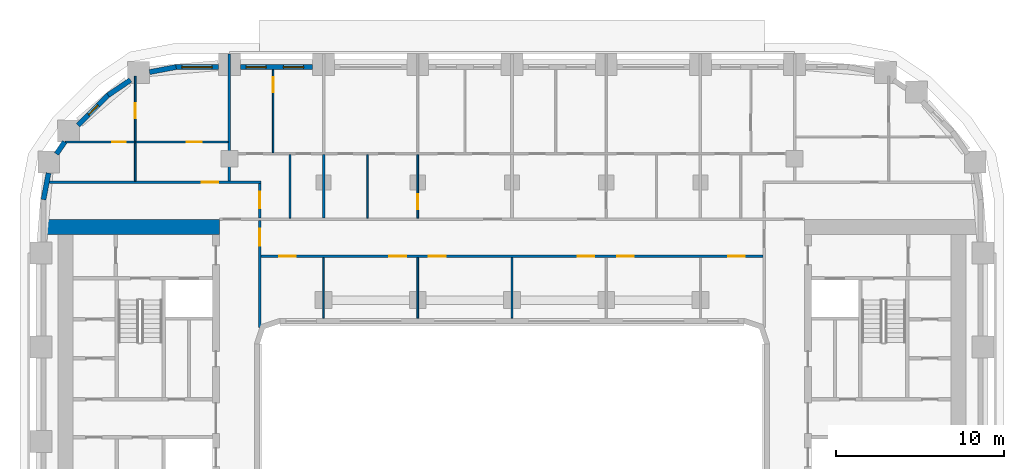
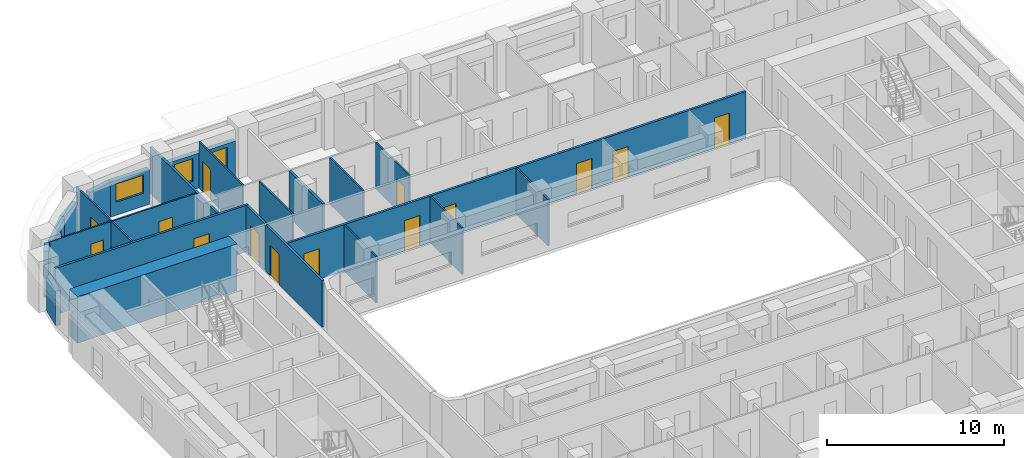
# One storey, part 8 of 23: 24 walls, 14 doors, 4 windows, 18 openings.
"""IFC4 building model written with IfcOpenShell, lengths in metres."""

from ifc_helpers import new_model, si_unit, direction, frame, frame_2d, origin, place, context, subcontext, project, spatial, rectangle, extrude, material, layer, layer_set, type_object, element, fill, save


model = new_model("IFC4")

# Units and contexts
model_context = context("Model", 3, precision=1e-05, world=origin(), true_north=direction((0.0, 1.0)))
body_context = subcontext(model_context, "Body", "Model", "MODEL_VIEW")
ifc_project = project(units=[si_unit("LENGTHUNIT", "METRE"), si_unit("AREAUNIT", "SQUARE_METRE"), si_unit("VOLUMEUNIT", "CUBIC_METRE"), si_unit("PLANEANGLEUNIT", "RADIAN"), si_unit("MASSUNIT", "GRAM", prefix="KILO")], contexts=[model_context])

# Site, building, storey
site_placement = place(None, origin())
site = spatial("IfcSite", under=ifc_project, at=site_placement, CompositionType="ELEMENT")
building_placement = place(site_placement, origin())
building = spatial("IfcBuilding", under=site, at=building_placement, Name="Kiln Ring Residences", CompositionType="ELEMENT")
storey_placement = place(building_placement, frame((0.0, 0.0, 86.800048828125)))
storey = spatial("IfcBuildingStorey", under=building, at=storey_placement, Name="L21", CompositionType="ELEMENT", Elevation=86.800048828125)

# Wall
ifc_material_1 = material(Name="Concrete C60/75", Category="concrete")
ifc_layer_1 = layer(ifc_material_1, 0.89990234375)
ifc_layer_set_1 = layer_set([ifc_layer_1], Name="CORE-WALL-RC900")
wall_type_1 = type_object("IfcWallType", Name="CORE-WALL-RC900", PredefinedType="SHEAR", material=ifc_layer_set_1)
wall_1_placement = place(storey_placement, frame((-17.39990234375, 12.75, 0.0), z_axis=(0.0, 0.0, 1.0), x_axis=(-1.0, 0.0, 0.0)))
element("IfcWall", 1, at=wall_1_placement, inside=storey, type_object=wall_type_1, Name="Core wall west L21 4", PredefinedType="SHEAR", context=body_context, shape_type="SweptSolid", body=[
    extrude(rectangle(XDim=10.400146484375, YDim=0.89990234375, at=frame_2d((5.2001953125, 0.0))), origin(), (0.0, 0.0, 1.0), 3.199951171875),
])

# Wall, openings, windows
ifc_material_2 = material(Name="Brick masonry, dark clay brick", Category="masonry")
ifc_layer_2 = layer(ifc_material_2, 0.300048828125)
ifc_layer_set_2 = layer_set([ifc_layer_2], Name="EW-300 BRICK WALL")
wall_type_2 = type_object("IfcWallType", Name="EW-300 BRICK WALL", PredefinedType="SOLIDWALL", material=ifc_layer_set_2)
wall_2_placement = place(storey_placement, frame((-11.85009765625, 22.25, 0.0), z_axis=(0.0, 0.0, 1.0), x_axis=(-1.0, 0.0, 0.0)))
wall_2 = element("IfcWall", 2, at=wall_2_placement, inside=storey, type_object=wall_type_2, Name="Facade wall L21 34", PredefinedType="SOLIDWALL", context=body_context, shape_type="SweptSolid", body=[
    extrude(rectangle(XDim=4.2998046875, YDim=0.300048828125, at=frame_2d((2.14990234375, 0.0))), origin(), (0.0, 0.0, 1.0), 2.39990234375),
])
opening_1_placement = place(wall_2_placement, frame((0.53759765625, 0.0, 0.60009765625)))
opening_1 = element("IfcOpeningElement", 3, at=opening_1_placement, cuts=wall_2, Name="Opening W1", PredefinedType="OPENING", context=body_context, shape_type="SweptSolid", body=[
    extrude(rectangle(XDim=1.199951171875, YDim=1.550048828125, at=frame_2d((0.60009765625, 0.77490234375))), frame((0.0, 0.159912109375, 0.0), z_axis=(0.0, -1.0, 0.0), x_axis=(1.0, 0.0, 0.0)), (0.0, 0.0, 1.0), 0.320068359375),
])
opening_2_placement = place(wall_2_placement, frame((2.762451171875, 0.0, 0.60009765625)))
opening_2 = element("IfcOpeningElement", 4, at=opening_2_placement, cuts=wall_2, Name="Opening W1", PredefinedType="OPENING", context=body_context, shape_type="SweptSolid", body=[
    extrude(rectangle(XDim=1.199951171875, YDim=1.550048828125, at=frame_2d((0.60009765625, 0.77490234375))), frame((0.0, 0.159912109375, 0.0), z_axis=(0.0, -1.0, 0.0), x_axis=(1.0, 0.0, 0.0)), (0.0, 0.0, 1.0), 0.320068359375),
])
ifc_material_3 = material(Name="Aluminium frame with double glazing", Category="aluminium")
window_type_1 = type_object("IfcWindowType", Name="WINDOW 1200 x 1550", PartitioningType="SINGLE_PANEL", PredefinedType="WINDOW", material=ifc_material_3)
window_1_placement = place(opening_1_placement, origin())
window_1 = element("IfcWindow", 5, at=window_1_placement, inside=storey, type_object=window_type_1, Name="Window L21 25", OverallHeight=1.550048828125, OverallWidth=1.199951171875, PartitioningType="SINGLE_PANEL", PredefinedType="WINDOW", context=body_context, shape_type="SweptSolid", body=[
    extrude(rectangle(XDim=1.199951171875, YDim=1.550048828125, at=frame_2d((0.60009765625, 0.77490234375))), frame((0.0, 0.030029296875, 0.0), z_axis=(0.0, -1.0, 0.0), x_axis=(1.0, 0.0, 0.0)), (0.0, 0.0, 1.0), 0.06005859375),
])
fill(opening_1, window_1)
window_2_placement = place(opening_2_placement, origin())
window_2 = element("IfcWindow", 6, at=window_2_placement, inside=storey, type_object=window_type_1, Name="Window L21 26", OverallHeight=1.550048828125, OverallWidth=1.199951171875, PartitioningType="SINGLE_PANEL", PredefinedType="WINDOW", context=body_context, shape_type="SweptSolid", body=[
    extrude(rectangle(XDim=1.199951171875, YDim=1.550048828125, at=frame_2d((0.60009765625, 0.77490234375))), frame((0.0, 0.030029296875, 0.0), z_axis=(0.0, -1.0, 0.0), x_axis=(1.0, 0.0, 0.0)), (0.0, 0.0, 1.0), 0.06005859375),
])
fill(opening_2, window_2)

# Wall, opening, window
wall_3_placement = place(storey_placement, frame((-17.449951171875, 22.25, 0.0), z_axis=(0.0, 0.0, 1.0), x_axis=(-1.0, 0.0, 0.0)))
wall_3 = element("IfcWall", 7, at=wall_3_placement, inside=storey, type_object=wall_type_2, Name="Facade wall L21 35", PredefinedType="SOLIDWALL", context=body_context, shape_type="SweptSolid", body=[
    extrude(rectangle(XDim=2.550048828125, YDim=0.300048828125, at=frame_2d((1.27490234375, 0.0))), origin(), (0.0, 0.0, 1.0), 2.39990234375),
])
opening_3_placement = place(wall_3_placement, frame((0.375, 0.0, 0.89990234375)))
opening_3 = element("IfcOpeningElement", 8, at=opening_3_placement, cuts=wall_3, Name="Opening W2", PredefinedType="OPENING", context=body_context, shape_type="SweptSolid", body=[
    extrude(rectangle(XDim=1.800048828125, YDim=1.25, at=frame_2d((0.89990234375, 0.625))), frame((0.0, 0.159912109375, 0.0), z_axis=(0.0, -1.0, 0.0), x_axis=(1.0, 0.0, 0.0)), (0.0, 0.0, 1.0), 0.320068359375),
])
ifc_material_4 = material(Name="Aluminium frame with double glazing", Category="aluminium")
window_type_2 = type_object("IfcWindowType", Name="WINDOW 1800 x 1250", PartitioningType="SINGLE_PANEL", PredefinedType="WINDOW", material=ifc_material_4)
window_3_placement = place(opening_3_placement, origin())
window_3 = element("IfcWindow", 9, at=window_3_placement, inside=storey, type_object=window_type_2, Name="Window L21 27", OverallHeight=1.25, OverallWidth=1.800048828125, PartitioningType="SINGLE_PANEL", PredefinedType="WINDOW", context=body_context, shape_type="SweptSolid", body=[
    extrude(rectangle(XDim=1.800048828125, YDim=1.25, at=frame_2d((0.89990234375, 0.625))), frame((0.0, 0.030029296875, 0.0), z_axis=(0.0, -1.0, 0.0), x_axis=(1.0, 0.0, 0.0)), (0.0, 0.0, 1.0), 0.06005859375),
])
fill(opening_3, window_3)

# Walls
for number, where, z_axis, x_axis, name in (
    (10, (-19.971923828125, 22.252685546875, 0.0), (0.0, 0.0, 1.0), (-0.982278644094, -0.187426426519, 0.0), "Facade wall L21 36"),
    (11, (-22.684326171875, 21.481689453125, 0.0), (0.0, 0.0, 1.0), (-0.82705935865, -0.562114594429, 0.0), "Facade wall L21 37"),
):
    element("IfcWall", number, at=place(storey_placement, frame(where, z_axis=z_axis, x_axis=x_axis)), inside=storey, type_object=wall_type_2, Name=name, PredefinedType="SOLIDWALL", context=body_context, shape_type="SweptSolid", body=[
        extrude(rectangle(XDim=1.606201171875, YDim=0.300048828125, at=frame_2d((0.80322265625, 0.0))), origin(), (0.0, 0.0, 1.0), 2.39990234375),
    ])

# Wall, opening, window
wall_4_placement = place(storey_placement, frame((-23.990966796875, 20.596923828125, 0.0), z_axis=(0.0, 0.0, 1.0), x_axis=(-0.707106781187, -0.707106781187, 0.0)))
wall_4 = element("IfcWall", 12, at=wall_4_placement, inside=storey, type_object=wall_type_2, Name="Facade wall L21 38", PredefinedType="SOLIDWALL", context=body_context, shape_type="SweptSolid", body=[
    extrude(rectangle(XDim=2.550048828125, YDim=0.300048828125, at=frame_2d((1.27490234375, 0.0))), origin(), (0.0, 0.0, 1.0), 2.39990234375),
])
opening_4_placement = place(wall_4_placement, frame((0.875, 0.0, 0.60009765625)))
opening_4 = element("IfcOpeningElement", 13, at=opening_4_placement, cuts=wall_4, Name="Opening W5", PredefinedType="OPENING", context=body_context, shape_type="SweptSolid", body=[
    extrude(rectangle(XDim=0.800048828125, YDim=1.550048828125, at=frame_2d((0.39990234375, 0.77490234375))), frame((0.0, 0.159912109375, 0.0), z_axis=(0.0, -1.0, 0.0), x_axis=(1.0, 0.0, 0.0)), (0.0, 0.0, 1.0), 0.320068359375),
])
ifc_material_5 = material(Name="Aluminium frame with double glazing", Category="aluminium")
window_type_3 = type_object("IfcWindowType", Name="WINDOW 800 x 1550", PartitioningType="SINGLE_PANEL", PredefinedType="WINDOW", material=ifc_material_5)
window_4_placement = place(opening_4_placement, origin())
window_4 = element("IfcWindow", 14, at=window_4_placement, inside=storey, type_object=window_type_3, Name="Window L21 28", OverallHeight=1.550048828125, OverallWidth=0.800048828125, PartitioningType="SINGLE_PANEL", PredefinedType="WINDOW", context=body_context, shape_type="SweptSolid", body=[
    extrude(rectangle(XDim=0.800048828125, YDim=1.550048828125, at=frame_2d((0.39990234375, 0.77490234375))), frame((0.0, 0.030029296875, 0.0), z_axis=(0.0, -1.0, 0.0), x_axis=(1.0, 0.0, 0.0)), (0.0, 0.0, 1.0), 0.06005859375),
])
fill(opening_4, window_4)

# Walls
wall_5_placement = place(storey_placement, frame((-26.588623046875, 17.809814453125, 0.0), z_axis=(0.0, 0.0, 1.0), x_axis=(-0.562066330934, -0.827092159091, 0.0)))
element("IfcWall", 15, at=wall_5_placement, inside=storey, type_object=wall_type_2, Name="Facade wall L21 39", PredefinedType="SOLIDWALL", context=body_context, shape_type="SweptSolid", body=[
    extrude(rectangle(XDim=0.876953125, YDim=0.300048828125, at=frame_2d((0.4384765625, 0.0))), origin(), (0.0, 0.0, 1.0), 3.199951171875),
])
wall_6_placement = place(storey_placement, frame((-27.5517578125, 15.949462890625, 0.0), z_axis=(0.0, 0.0, 1.0), x_axis=(-0.187279751651, -0.982306619453, 0.0)))
element("IfcWall", 16, at=wall_6_placement, inside=storey, type_object=wall_type_2, Name="Facade wall L21 40", PredefinedType="SOLIDWALL", context=body_context, shape_type="SweptSolid", body=[
    extrude(rectangle(XDim=1.60595703125, YDim=0.300048828125, at=frame_2d((0.802978515625, 0.0))), origin(), (0.0, 0.0, 1.0), 2.39990234375),
])

# Wall, openings, doors
ifc_material_6 = material(Name="Gypsum board on steel studs", Category="steel")
ifc_layer_3 = layer(ifc_material_6, 0.10009765625)
ifc_layer_set_3 = layer_set([ifc_layer_3], Name="PARTITION-100")
wall_type_3 = type_object("IfcWallType", Name="PARTITION-100", PredefinedType="PARTITIONING", material=ifc_layer_set_3)
wall_7_placement = place(storey_placement, frame((-26.55419921875, 17.800048828125, 0.0), z_axis=(0.0, 0.0, 1.0), x_axis=(1.0, 0.0, 0.0)))
wall_7 = element("IfcWall", 17, at=wall_7_placement, inside=storey, type_object=wall_type_3, Name="Partition 012", PredefinedType="PARTITIONING", context=body_context, shape_type="SweptSolid", body=[
    extrude(rectangle(XDim=9.67919921875, YDim=0.10009765625, at=frame_2d((4.839599609375, 0.0))), origin(), (0.0, 0.0, 1.0), 3.199951171875),
])
opening_5_placement = place(wall_7_placement, frame((2.7861328125, 0.0, 0.0)))
opening_5 = element("IfcOpeningElement", 18, at=opening_5_placement, cuts=wall_7, Name="Opening L21-D040", PredefinedType="OPENING", context=body_context, shape_type="SweptSolid", body=[
    extrude(rectangle(XDim=0.800048828125, YDim=2.10009765625, at=frame_2d((0.39990234375, 1.050048828125))), frame((0.0, 0.06005859375, 0.0), z_axis=(0.0, -1.0, 0.0), x_axis=(1.0, 0.0, 0.0)), (0.0, 0.0, 1.0), 0.1201171875),
])
opening_6_placement = place(wall_7_placement, frame((7.2041015625, 0.0, 0.0)))
opening_6 = element("IfcOpeningElement", 19, at=opening_6_placement, cuts=wall_7, Name="Opening L21-D041", PredefinedType="OPENING", context=body_context, shape_type="SweptSolid", body=[
    extrude(rectangle(XDim=0.89990234375, YDim=2.10009765625, at=frame_2d((0.449951171875, 1.050048828125))), frame((0.0, 0.06005859375, 0.0), z_axis=(0.0, -1.0, 0.0), x_axis=(1.0, 0.0, 0.0)), (0.0, 0.0, 1.0), 0.1201171875),
])
ifc_material_7 = material(Name="Timber door leaf", Category="wood")
door_type_1 = type_object("IfcDoorType", Name="FLAT-DOOR-800-PL", OperationType="SINGLE_SWING_LEFT", PredefinedType="DOOR", material=ifc_material_7)
door_1_placement = place(opening_5_placement, origin())
door_1 = element("IfcDoor", 20, at=door_1_placement, inside=storey, type_object=door_type_1, Name="Door L21-D040", OperationType="SINGLE_SWING_RIGHT", OverallHeight=2.10009765625, OverallWidth=0.800048828125, PredefinedType="DOOR", context=body_context, shape_type="SweptSolid", body=[
    extrude(rectangle(XDim=0.800048828125, YDim=2.10009765625, at=frame_2d((0.39990234375, 1.050048828125))), frame((0.0, 0.02490234375, 0.0), z_axis=(0.0, -1.0, 0.0), x_axis=(1.0, 0.0, 0.0)), (0.0, 0.0, 1.0), 0.050048828125),
])
fill(opening_5, door_1)
ifc_material_8 = material(Name="Timber door leaf", Category="wood")
door_type_2 = type_object("IfcDoorType", Name="FLAT-DOOR-900-PL", OperationType="SINGLE_SWING_LEFT", PredefinedType="DOOR", material=ifc_material_8)
door_2_placement = place(opening_6_placement, origin())
door_2 = element("IfcDoor", 21, at=door_2_placement, inside=storey, type_object=door_type_2, Name="Door L21-D041", OperationType="SINGLE_SWING_LEFT", OverallHeight=2.10009765625, OverallWidth=0.89990234375, PredefinedType="DOOR", context=body_context, shape_type="SweptSolid", body=[
    extrude(rectangle(XDim=0.89990234375, YDim=2.10009765625, at=frame_2d((0.449951171875, 1.050048828125))), frame((0.0, 0.02490234375, 0.0), z_axis=(0.0, -1.0, 0.0), x_axis=(1.0, 0.0, 0.0)), (0.0, 0.0, 1.0), 0.050048828125),
])
fill(opening_6, door_2)

# Wall
wall_8_placement = place(storey_placement, frame((-22.39990234375, 15.47509765625, 0.0), z_axis=(0.0, 0.0, 1.0), x_axis=(0.0, 1.0, 0.0)))
element("IfcWall", 22, at=wall_8_placement, inside=storey, type_object=wall_type_3, Name="Partition 016", PredefinedType="PARTITIONING", context=body_context, shape_type="SweptSolid", body=[
    extrude(rectangle(XDim=2.27490234375, YDim=0.10009765625, at=frame_2d((1.137451171875, 0.0))), origin(), (0.0, 0.0, 1.0), 3.199951171875),
])

# Wall, opening, door
wall_9_placement = place(storey_placement, frame((-22.39990234375, 17.85009765625, 0.0), z_axis=(0.0, 0.0, 1.0), x_axis=(0.0, 1.0, 0.0)))
wall_9 = element("IfcWall", 23, at=wall_9_placement, inside=storey, type_object=wall_type_3, Name="Partition 017", PredefinedType="PARTITIONING", context=body_context, shape_type="SweptSolid", body=[
    extrude(rectangle(XDim=3.869873046875, YDim=0.10009765625, at=frame_2d((1.93505859375, 0.0))), origin(), (0.0, 0.0, 1.0), 3.199951171875),
])
opening_7_placement = place(wall_9_placement, frame((1.347900390625, 0.0, 0.0)))
opening_7 = element("IfcOpeningElement", 24, at=opening_7_placement, cuts=wall_9, Name="Opening L21-D042", PredefinedType="OPENING", context=body_context, shape_type="SweptSolid", body=[
    extrude(rectangle(XDim=0.89990234375, YDim=2.10009765625, at=frame_2d((0.449951171875, 1.050048828125))), frame((0.0, 0.06005859375, 0.0), z_axis=(0.0, -1.0, 0.0), x_axis=(1.0, 0.0, 0.0)), (0.0, 0.0, 1.0), 0.1201171875),
])
door_3_placement = place(opening_7_placement, origin())
door_3 = element("IfcDoor", 25, at=door_3_placement, inside=storey, type_object=door_type_2, Name="Door L21-D042", OperationType="SINGLE_SWING_RIGHT", OverallHeight=2.10009765625, OverallWidth=0.89990234375, PredefinedType="DOOR", context=body_context, shape_type="SweptSolid", body=[
    extrude(rectangle(XDim=0.89990234375, YDim=2.10009765625, at=frame_2d((0.449951171875, 1.050048828125))), frame((0.0, 0.02490234375, 0.0), z_axis=(0.0, -1.0, 0.0), x_axis=(1.0, 0.0, 0.0)), (0.0, 0.0, 1.0), 0.050048828125),
])
fill(opening_7, door_3)

wall_10_placement = place(storey_placement, frame((-14.199951171875, 17.14990234375, 0.0), z_axis=(0.0, 0.0, 1.0), x_axis=(0.0, 1.0, 0.0)))
wall_10 = element("IfcWall", 26, at=wall_10_placement, inside=storey, type_object=wall_type_3, Name="Partition 024", PredefinedType="PARTITIONING", context=body_context, shape_type="SweptSolid", body=[
    extrude(rectangle(XDim=4.93017578125, YDim=0.10009765625, at=frame_2d((2.465087890625, 0.0))), origin(), (0.0, 0.0, 1.0), 3.199951171875),
])
opening_8_placement = place(wall_10_placement, frame((3.60009765625, 0.0, 0.0)))
opening_8 = element("IfcOpeningElement", 27, at=opening_8_placement, cuts=wall_10, Name="Opening L21-D018", PredefinedType="OPENING", context=body_context, shape_type="SweptSolid", body=[
    extrude(rectangle(XDim=0.89990234375, YDim=2.10009765625, at=frame_2d((0.449951171875, 1.050048828125))), frame((0.0, 0.06005859375, 0.0), z_axis=(0.0, -1.0, 0.0), x_axis=(1.0, 0.0, 0.0)), (0.0, 0.0, 1.0), 0.1201171875),
])
door_4_placement = place(opening_8_placement, origin())
door_4 = element("IfcDoor", 28, at=door_4_placement, inside=storey, type_object=door_type_2, Name="Door L21-D018", OperationType="SINGLE_SWING_RIGHT", OverallHeight=2.10009765625, OverallWidth=0.89990234375, PredefinedType="DOOR", context=body_context, shape_type="SweptSolid", body=[
    extrude(rectangle(XDim=0.89990234375, YDim=2.10009765625, at=frame_2d((0.449951171875, 1.050048828125))), frame((0.0, 0.02490234375, 0.0), z_axis=(0.0, -1.0, 0.0), x_axis=(1.0, 0.0, 0.0)), (0.0, 0.0, 1.0), 0.050048828125),
])
fill(opening_8, door_4)

# Walls
wall_11_placement = place(storey_placement, frame((-13.199951171875, 13.27490234375, 0.0), z_axis=(0.0, 0.0, 1.0), x_axis=(0.0, 1.0, 0.0)))
element("IfcWall", 29, at=wall_11_placement, inside=storey, type_object=wall_type_3, Name="Partition 027", PredefinedType="PARTITIONING", context=body_context, shape_type="SweptSolid", body=[
    extrude(rectangle(XDim=3.775146484375, YDim=0.10009765625, at=frame_2d((1.8876953125, 0.0))), origin(), (0.0, 0.0, 1.0), 3.199951171875),
])
wall_12_placement = place(storey_placement, frame((-11.199951171875, 7.320068359375, 0.0), z_axis=(0.0, 0.0, 1.0), x_axis=(0.0, 1.0, 0.0)))
element("IfcWall", 30, at=wall_12_placement, inside=storey, type_object=wall_type_3, Name="Partition 030", PredefinedType="PARTITIONING", context=body_context, shape_type="SweptSolid", body=[
    extrude(rectangle(XDim=3.60498046875, YDim=0.10009765625, at=frame_2d((1.802490234375, 0.0))), origin(), (0.0, 0.0, 1.0), 3.199951171875),
])
wall_13_placement = place(storey_placement, frame((-8.60009765625, 13.27490234375, 0.0), z_axis=(0.0, 0.0, 1.0), x_axis=(0.0, 1.0, 0.0)))
element("IfcWall", 31, at=wall_13_placement, inside=storey, type_object=wall_type_3, Name="Partition 036", PredefinedType="PARTITIONING", context=body_context, shape_type="SweptSolid", body=[
    extrude(rectangle(XDim=3.775146484375, YDim=0.10009765625, at=frame_2d((1.8876953125, 0.0))), origin(), (0.0, 0.0, 1.0), 3.199951171875),
])
wall_14_placement = place(storey_placement, frame((-5.60009765625, 7.320068359375, 0.0), z_axis=(0.0, 0.0, 1.0), x_axis=(0.0, 1.0, 0.0)))
element("IfcWall", 32, at=wall_14_placement, inside=storey, type_object=wall_type_3, Name="Partition 038", PredefinedType="PARTITIONING", context=body_context, shape_type="SweptSolid", body=[
    extrude(rectangle(XDim=3.60498046875, YDim=0.10009765625, at=frame_2d((1.802490234375, 0.0))), origin(), (0.0, 0.0, 1.0), 3.199951171875),
])

# Wall, opening, door
wall_15_placement = place(storey_placement, frame((-5.60009765625, 13.27490234375, 0.0), z_axis=(0.0, 0.0, 1.0), x_axis=(0.0, 1.0, 0.0)))
wall_15 = element("IfcWall", 33, at=wall_15_placement, inside=storey, type_object=wall_type_3, Name="Partition 039", PredefinedType="PARTITIONING", context=body_context, shape_type="SweptSolid", body=[
    extrude(rectangle(XDim=3.775146484375, YDim=0.10009765625, at=frame_2d((1.8876953125, 0.0))), origin(), (0.0, 0.0, 1.0), 3.199951171875),
])
opening_9_placement = place(wall_15_placement, frame((0.52490234375, 0.0, 0.0)))
opening_9 = element("IfcOpeningElement", 34, at=opening_9_placement, cuts=wall_15, Name="Opening L21-D020", PredefinedType="OPENING", context=body_context, shape_type="SweptSolid", body=[
    extrude(rectangle(XDim=0.89990234375, YDim=2.10009765625, at=frame_2d((0.449951171875, 1.050048828125))), frame((0.0, 0.06005859375, 0.0), z_axis=(0.0, -1.0, 0.0), x_axis=(1.0, 0.0, 0.0)), (0.0, 0.0, 1.0), 0.1201171875),
])
door_5_placement = place(opening_9_placement, origin())
door_5 = element("IfcDoor", 35, at=door_5_placement, inside=storey, type_object=door_type_2, Name="Door L21-D020", OperationType="SINGLE_SWING_RIGHT", OverallHeight=2.10009765625, OverallWidth=0.89990234375, PredefinedType="DOOR", context=body_context, shape_type="SweptSolid", body=[
    extrude(rectangle(XDim=0.89990234375, YDim=2.10009765625, at=frame_2d((0.449951171875, 1.050048828125))), frame((0.0, 0.02490234375, 0.0), z_axis=(0.0, -1.0, 0.0), x_axis=(1.0, 0.0, 0.0)), (0.0, 0.0, 1.0), 0.050048828125),
])
fill(opening_9, door_5)

# Wall
wall_16_placement = place(storey_placement, frame((0.0, 7.320068359375, 0.0), z_axis=(0.0, 0.0, 1.0), x_axis=(0.0, 1.0, 0.0)))
element("IfcWall", 36, at=wall_16_placement, inside=storey, type_object=wall_type_3, Name="Partition 048", PredefinedType="PARTITIONING", context=body_context, shape_type="SweptSolid", body=[
    extrude(rectangle(XDim=3.60498046875, YDim=0.10009765625, at=frame_2d((1.802490234375, 0.0))), origin(), (0.0, 0.0, 1.0), 3.199951171875),
])

# Wall, openings, doors
ifc_material_9 = material(Name="Brick masonry partition", Category="masonry")
ifc_layer_4 = layer(ifc_material_9, 0.14990234375)
ifc_layer_set_4 = layer_set([ifc_layer_4], Name="PARTITION-150-ei60")
wall_type_4 = type_object("IfcWallType", Name="PARTITION-150-ei60", PredefinedType="PARTITIONING", material=ifc_layer_set_4)
wall_17_placement = place(storey_placement, frame((-14.925048828125, 11.0, 0.0), z_axis=(0.0, 0.0, 1.0), x_axis=(1.0, 0.0, 0.0)))
wall_17 = element("IfcWall", 37, at=wall_17_placement, inside=storey, type_object=wall_type_4, Name="Partition 007", PredefinedType="PARTITIONING", context=body_context, shape_type="SweptSolid", body=[
    extrude(rectangle(XDim=29.85009765625, YDim=0.14990234375, at=frame_2d((14.925048828125, 0.0))), origin(), (0.0, 0.0, 1.0), 3.199951171875),
])
opening_10_placement = place(wall_17_placement, frame((1.075927734375, 0.0, 0.0)))
opening_10 = element("IfcOpeningElement", 38, at=opening_10_placement, cuts=wall_17, Name="Opening L21-D009", PredefinedType="OPENING", context=body_context, shape_type="SweptSolid", body=[
    extrude(rectangle(XDim=1.0, YDim=2.10009765625, at=frame_2d((0.5, 1.050048828125))), frame((0.0, 0.0849609375, 0.0), z_axis=(0.0, -1.0, 0.0), x_axis=(1.0, 0.0, 0.0)), (0.0, 0.0, 1.0), 0.169921875),
])
opening_11_placement = place(wall_17_placement, frame((7.625, 0.0, 0.0)))
opening_11 = element("IfcOpeningElement", 39, at=opening_11_placement, cuts=wall_17, Name="Opening L21-D010", PredefinedType="OPENING", context=body_context, shape_type="SweptSolid", body=[
    extrude(rectangle(XDim=1.0, YDim=2.10009765625, at=frame_2d((0.5, 1.050048828125))), frame((0.0, 0.0849609375, 0.0), z_axis=(0.0, -1.0, 0.0), x_axis=(1.0, 0.0, 0.0)), (0.0, 0.0, 1.0), 0.169921875),
])
opening_12_placement = place(wall_17_placement, frame((9.97509765625, 0.0, 0.0)))
opening_12 = element("IfcOpeningElement", 40, at=opening_12_placement, cuts=wall_17, Name="Opening L21-D011", PredefinedType="OPENING", context=body_context, shape_type="SweptSolid", body=[
    extrude(rectangle(XDim=1.0, YDim=2.10009765625, at=frame_2d((0.5, 1.050048828125))), frame((0.0, 0.0849609375, 0.0), z_axis=(0.0, -1.0, 0.0), x_axis=(1.0, 0.0, 0.0)), (0.0, 0.0, 1.0), 0.169921875),
])
opening_13_placement = place(wall_17_placement, frame((18.824951171875, 0.0, 0.0)))
opening_13 = element("IfcOpeningElement", 41, at=opening_13_placement, cuts=wall_17, Name="Opening L21-D012", PredefinedType="OPENING", context=body_context, shape_type="SweptSolid", body=[
    extrude(rectangle(XDim=1.0, YDim=2.10009765625, at=frame_2d((0.5, 1.050048828125))), frame((0.0, 0.0849609375, 0.0), z_axis=(0.0, -1.0, 0.0), x_axis=(1.0, 0.0, 0.0)), (0.0, 0.0, 1.0), 0.169921875),
])
opening_14_placement = place(wall_17_placement, frame((21.175048828125, 0.0, 0.0)))
opening_14 = element("IfcOpeningElement", 42, at=opening_14_placement, cuts=wall_17, Name="Opening L21-D013", PredefinedType="OPENING", context=body_context, shape_type="SweptSolid", body=[
    extrude(rectangle(XDim=1.0, YDim=2.10009765625, at=frame_2d((0.5, 1.050048828125))), frame((0.0, 0.0849609375, 0.0), z_axis=(0.0, -1.0, 0.0), x_axis=(1.0, 0.0, 0.0)), (0.0, 0.0, 1.0), 0.169921875),
])
opening_15_placement = place(wall_17_placement, frame((27.77490234375, 0.0, 0.0)))
opening_15 = element("IfcOpeningElement", 43, at=opening_15_placement, cuts=wall_17, Name="Opening L21-D014", PredefinedType="OPENING", context=body_context, shape_type="SweptSolid", body=[
    extrude(rectangle(XDim=1.0, YDim=2.10009765625, at=frame_2d((0.5, 1.050048828125))), frame((0.0, 0.0849609375, 0.0), z_axis=(0.0, -1.0, 0.0), x_axis=(1.0, 0.0, 0.0)), (0.0, 0.0, 1.0), 0.169921875),
])
ifc_material_10 = material(Name="Steel faced fire door leaf", Category="steel")
door_type_3 = type_object("IfcDoorType", Name="FLAT-DOOR-1000-FR", OperationType="SINGLE_SWING_LEFT", PredefinedType="DOOR", material=ifc_material_10)
door_6_placement = place(opening_10_placement, origin())
door_6 = element("IfcDoor", 44, at=door_6_placement, inside=storey, type_object=door_type_3, Name="Door L21-D009", OperationType="SINGLE_SWING_LEFT", OverallHeight=2.10009765625, OverallWidth=1.0, PredefinedType="DOOR", context=body_context, shape_type="SweptSolid", body=[
    extrude(rectangle(XDim=1.0, YDim=2.10009765625, at=frame_2d((0.5, 1.050048828125))), frame((0.0, 0.02490234375, 0.0), z_axis=(0.0, -1.0, 0.0), x_axis=(1.0, 0.0, 0.0)), (0.0, 0.0, 1.0), 0.050048828125),
])
fill(opening_10, door_6)
door_7_placement = place(opening_11_placement, origin())
door_7 = element("IfcDoor", 45, at=door_7_placement, inside=storey, type_object=door_type_3, Name="Door L21-D010", OperationType="SINGLE_SWING_RIGHT", OverallHeight=2.10009765625, OverallWidth=1.0, PredefinedType="DOOR", context=body_context, shape_type="SweptSolid", body=[
    extrude(rectangle(XDim=1.0, YDim=2.10009765625, at=frame_2d((0.5, 1.050048828125))), frame((0.0, 0.02490234375, 0.0), z_axis=(0.0, -1.0, 0.0), x_axis=(1.0, 0.0, 0.0)), (0.0, 0.0, 1.0), 0.050048828125),
])
fill(opening_11, door_7)
door_8_placement = place(opening_12_placement, origin())
door_8 = element("IfcDoor", 46, at=door_8_placement, inside=storey, type_object=door_type_3, Name="Door L21-D011", OperationType="SINGLE_SWING_LEFT", OverallHeight=2.10009765625, OverallWidth=1.0, PredefinedType="DOOR", context=body_context, shape_type="SweptSolid", body=[
    extrude(rectangle(XDim=1.0, YDim=2.10009765625, at=frame_2d((0.5, 1.050048828125))), frame((0.0, 0.02490234375, 0.0), z_axis=(0.0, -1.0, 0.0), x_axis=(1.0, 0.0, 0.0)), (0.0, 0.0, 1.0), 0.050048828125),
])
fill(opening_12, door_8)
door_9_placement = place(opening_13_placement, origin())
door_9 = element("IfcDoor", 47, at=door_9_placement, inside=storey, type_object=door_type_3, Name="Door L21-D012", OperationType="SINGLE_SWING_RIGHT", OverallHeight=2.10009765625, OverallWidth=1.0, PredefinedType="DOOR", context=body_context, shape_type="SweptSolid", body=[
    extrude(rectangle(XDim=1.0, YDim=2.10009765625, at=frame_2d((0.5, 1.050048828125))), frame((0.0, 0.02490234375, 0.0), z_axis=(0.0, -1.0, 0.0), x_axis=(1.0, 0.0, 0.0)), (0.0, 0.0, 1.0), 0.050048828125),
])
fill(opening_13, door_9)
door_10_placement = place(opening_14_placement, origin())
door_10 = element("IfcDoor", 48, at=door_10_placement, inside=storey, type_object=door_type_3, Name="Door L21-D013", OperationType="SINGLE_SWING_LEFT", OverallHeight=2.10009765625, OverallWidth=1.0, PredefinedType="DOOR", context=body_context, shape_type="SweptSolid", body=[
    extrude(rectangle(XDim=1.0, YDim=2.10009765625, at=frame_2d((0.5, 1.050048828125))), frame((0.0, 0.02490234375, 0.0), z_axis=(0.0, -1.0, 0.0), x_axis=(1.0, 0.0, 0.0)), (0.0, 0.0, 1.0), 0.050048828125),
])
fill(opening_14, door_10)
door_11_placement = place(opening_15_placement, origin())
door_11 = element("IfcDoor", 49, at=door_11_placement, inside=storey, type_object=door_type_3, Name="Door L21-D014", OperationType="SINGLE_SWING_RIGHT", OverallHeight=2.10009765625, OverallWidth=1.0, PredefinedType="DOOR", context=body_context, shape_type="SweptSolid", body=[
    extrude(rectangle(XDim=1.0, YDim=2.10009765625, at=frame_2d((0.5, 1.050048828125))), frame((0.0, 0.02490234375, 0.0), z_axis=(0.0, -1.0, 0.0), x_axis=(1.0, 0.0, 0.0)), (0.0, 0.0, 1.0), 0.050048828125),
])
fill(opening_15, door_11)

# Wall, opening, door
wall_18_placement = place(storey_placement, frame((-27.48388671875, 15.39990234375, 0.0), z_axis=(0.0, 0.0, 1.0), x_axis=(1.0, 0.0, 0.0)))
wall_18 = element("IfcWall", 50, at=wall_18_placement, inside=storey, type_object=wall_type_4, Name="Partition 009", PredefinedType="PARTITIONING", context=body_context, shape_type="SweptSolid", body=[
    extrude(rectangle(XDim=12.558837890625, YDim=0.14990234375, at=frame_2d((6.279296875, 0.0))), origin(), (0.0, 0.0, 1.0), 3.199951171875),
])
opening_16_placement = place(wall_18_placement, frame((9.03369140625, 0.0, 0.0)))
opening_16 = element("IfcOpeningElement", 51, at=opening_16_placement, cuts=wall_18, Name="Opening L21-D039", PredefinedType="OPENING", context=body_context, shape_type="SweptSolid", body=[
    extrude(rectangle(XDim=1.0, YDim=2.10009765625, at=frame_2d((0.5, 1.050048828125))), frame((0.0, 0.0849609375, 0.0), z_axis=(0.0, -1.0, 0.0), x_axis=(1.0, 0.0, 0.0)), (0.0, 0.0, 1.0), 0.169921875),
])
door_12_placement = place(opening_16_placement, origin())
door_12 = element("IfcDoor", 52, at=door_12_placement, inside=storey, type_object=door_type_3, Name="Door L21-D039", OperationType="SINGLE_SWING_LEFT", OverallHeight=2.10009765625, OverallWidth=1.0, PredefinedType="DOOR", context=body_context, shape_type="SweptSolid", body=[
    extrude(rectangle(XDim=1.0, YDim=2.10009765625, at=frame_2d((0.5, 1.050048828125))), frame((0.0, 0.02490234375, 0.0), z_axis=(0.0, -1.0, 0.0), x_axis=(1.0, 0.0, 0.0)), (0.0, 0.0, 1.0), 0.050048828125),
])
fill(opening_16, door_12)

# Wall
wall_19_placement = place(storey_placement, frame((-16.800048828125, 15.47509765625, 0.0), z_axis=(0.0, 0.0, 1.0), x_axis=(0.0, 1.0, 0.0)))
element("IfcWall", 53, at=wall_19_placement, inside=storey, type_object=wall_type_4, Name="Partition 019", PredefinedType="PARTITIONING", context=body_context, shape_type="SweptSolid", body=[
    extrude(rectangle(XDim=7.554931640625, YDim=0.14990234375, at=frame_2d((3.77734375, 0.0))), origin(), (0.0, 0.0, 1.0), 3.199951171875),
])

# Wall, opening, door
wall_20_placement = place(storey_placement, frame((-15.0, 6.768798828125, 0.0), z_axis=(0.0, 0.0, 1.0), x_axis=(0.0, 1.0, 0.0)))
wall_20 = element("IfcWall", 54, at=wall_20_placement, inside=storey, type_object=wall_type_4, Name="Partition 022", PredefinedType="PARTITIONING", context=body_context, shape_type="SweptSolid", body=[
    extrude(rectangle(XDim=6.356201171875, YDim=0.14990234375, at=frame_2d((3.17822265625, 0.0))), origin(), (0.0, 0.0, 1.0), 3.199951171875),
])
opening_17_placement = place(wall_20_placement, frame((4.860107421875, 0.0, 0.0)))
opening_17 = element("IfcOpeningElement", 55, at=opening_17_placement, cuts=wall_20, Name="Opening L21-D001", PredefinedType="OPENING", context=body_context, shape_type="SweptSolid", body=[
    extrude(rectangle(XDim=1.0, YDim=2.10009765625, at=frame_2d((0.5, 1.050048828125))), frame((0.0, 0.0849609375, 0.0), z_axis=(0.0, -1.0, 0.0), x_axis=(1.0, 0.0, 0.0)), (0.0, 0.0, 1.0), 0.169921875),
])
door_13_placement = place(opening_17_placement, origin())
door_13 = element("IfcDoor", 56, at=door_13_placement, inside=storey, type_object=door_type_3, Name="Door L21-D001", OperationType="SINGLE_SWING_RIGHT", OverallHeight=2.10009765625, OverallWidth=1.0, PredefinedType="DOOR", context=body_context, shape_type="SweptSolid", body=[
    extrude(rectangle(XDim=1.0, YDim=2.10009765625, at=frame_2d((0.5, 1.050048828125))), frame((0.0, 0.02490234375, 0.0), z_axis=(0.0, -1.0, 0.0), x_axis=(1.0, 0.0, 0.0)), (0.0, 0.0, 1.0), 0.050048828125),
])
fill(opening_17, door_13)

wall_21_placement = place(storey_placement, frame((-15.0, 13.27490234375, 0.0), z_axis=(0.0, 0.0, 1.0), x_axis=(0.0, 1.0, 0.0)))
wall_21 = element("IfcWall", 57, at=wall_21_placement, inside=storey, type_object=wall_type_4, Name="Partition 023", PredefinedType="PARTITIONING", context=body_context, shape_type="SweptSolid", body=[
    extrude(rectangle(XDim=2.050048828125, YDim=0.14990234375, at=frame_2d((1.02490234375, 0.0))), origin(), (0.0, 0.0, 1.0), 3.199951171875),
])
opening_18_placement = place(wall_21_placement, frame((0.575927734375, 0.0, 0.0)))
opening_18 = element("IfcOpeningElement", 58, at=opening_18_placement, cuts=wall_21, Name="Opening L21-D015", PredefinedType="OPENING", context=body_context, shape_type="SweptSolid", body=[
    extrude(rectangle(XDim=1.0, YDim=2.10009765625, at=frame_2d((0.5, 1.050048828125))), frame((0.0, 0.0849609375, 0.0), z_axis=(0.0, -1.0, 0.0), x_axis=(1.0, 0.0, 0.0)), (0.0, 0.0, 1.0), 0.169921875),
])
door_14_placement = place(opening_18_placement, origin())
door_14 = element("IfcDoor", 59, at=door_14_placement, inside=storey, type_object=door_type_3, Name="Door L21-D015", OperationType="SINGLE_SWING_LEFT", OverallHeight=2.10009765625, OverallWidth=1.0, PredefinedType="DOOR", context=body_context, shape_type="SweptSolid", body=[
    extrude(rectangle(XDim=1.0, YDim=2.10009765625, at=frame_2d((0.5, 1.050048828125))), frame((0.0, 0.02490234375, 0.0), z_axis=(0.0, -1.0, 0.0), x_axis=(1.0, 0.0, 0.0)), (0.0, 0.0, 1.0), 0.050048828125),
])
fill(opening_18, door_14)

# Wall
wall_22_placement = place(storey_placement, frame((-11.199951171875, 13.27490234375, 0.0), z_axis=(0.0, 0.0, 1.0), x_axis=(0.0, 1.0, 0.0)))
element("IfcWall", 60, at=wall_22_placement, inside=storey, type_object=wall_type_4, Name="Partition 033", PredefinedType="PARTITIONING", context=body_context, shape_type="SweptSolid", body=[
    extrude(rectangle(XDim=3.775146484375, YDim=0.14990234375, at=frame_2d((1.8876953125, 0.0))), origin(), (0.0, 0.0, 1.0), 3.199951171875),
])

save(model, "model.ifc")
